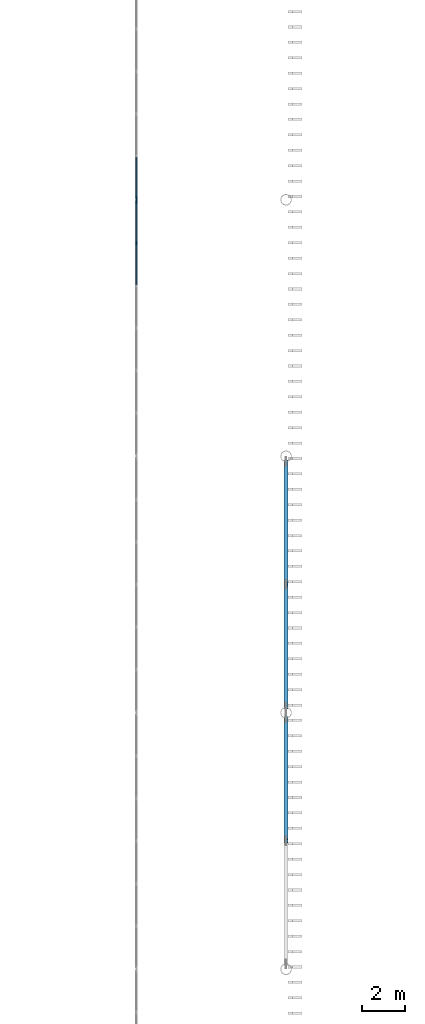
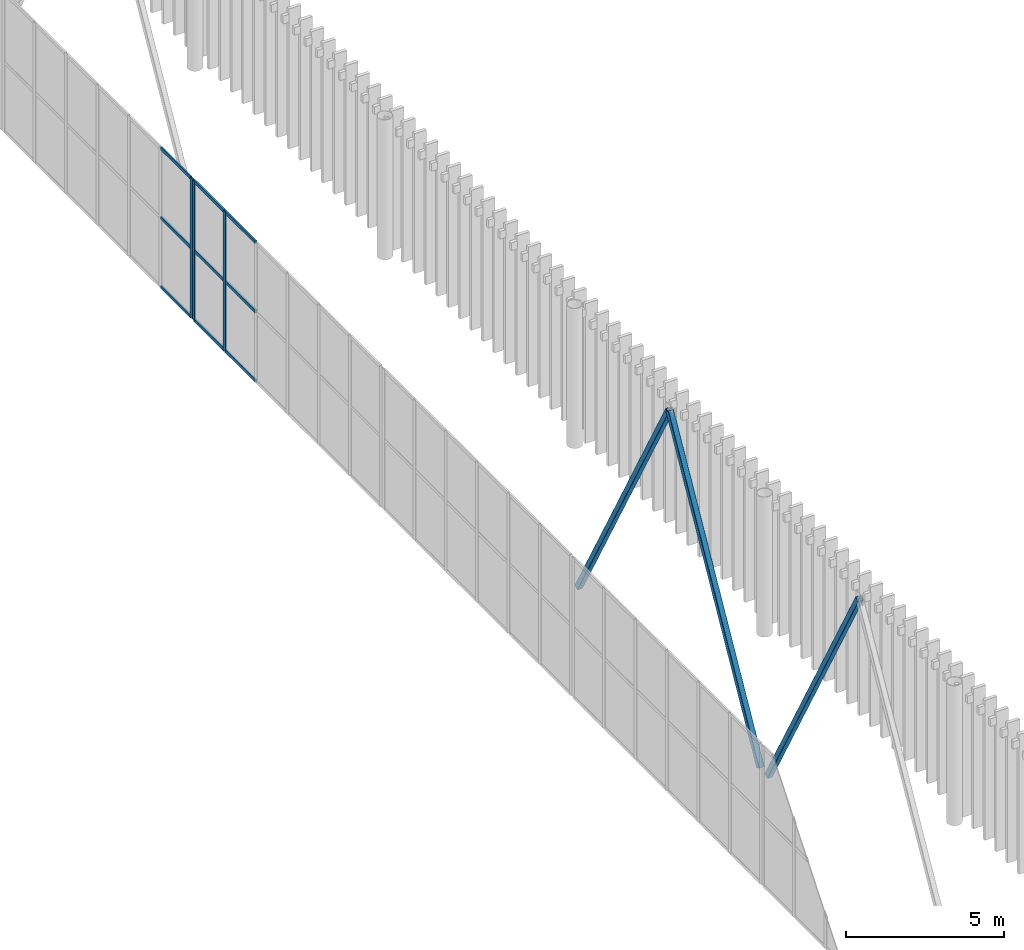
# One storey, part 48 of 170: 15 members, 2 elements without a shape of their own.
"""IFC4 building model written with IfcOpenShell, lengths in metres."""

import ifcopenshell
import ifcopenshell.guid

model = None  # the IFC model being written
_history = None  # IfcOwnerHistory: only IFC2X3 demands one
_inside = {}  # id of a spatial element -> (the spatial element, [elements in it])
_under = {}  # id of a project, library or spatial element -> (it, [spatial elements below it])
_declared = {}  # id of a project -> (the project, [libraries it declares])
_typed = {}  # id of a type object -> (the type object, [elements of that type])
_made_of = {}  # id of a material, layer set ... -> (it, [elements and type objects made of it])


def new_model(schema):
    """Start an empty IFC model of exactly this schema.

    Asked for "IFC4X3", IfcOpenShell would pick the latest addendum, in which some entities
    have other attributes; the version numbers below select the first issue.
    IFC2X3 requires an IfcOwnerHistory on every rooted entity: one is made here for all.
    """
    global model, _history
    if schema == "IFC4X3":
        model = ifcopenshell.file(schema_version=(4, 3, 0, 0))
    else:
        model = ifcopenshell.file(schema=schema)
    _inside.clear()
    _under.clear()
    _declared.clear()
    _typed.clear()
    _made_of.clear()
    _history = None
    if model.schema == "IFC2X3":
        org = make("IfcOrganization", Name="unknown")
        user = make(
            "IfcPersonAndOrganization",
            ThePerson=make("IfcPerson", FamilyName="unknown"),
            TheOrganization=org,
        )
        app = make(
            "IfcApplication",
            ApplicationDeveloper=org,
            Version="unknown",
            ApplicationFullName="unknown",
            ApplicationIdentifier="unknown",
        )
        _history = make(
            "IfcOwnerHistory",
            OwningUser=user,
            OwningApplication=app,
            ChangeAction="ADDED",
            CreationDate=0,
        )
    return model


def make(cls, **values):
    """One entity of the class cls with the attributes given. An attribute that is None is left unset."""
    return model.create_entity(
        cls, **{name: value for name, value in values.items() if value is not None}
    )


def rooted(cls, **values):
    """An entity with a GlobalId (a new one), such as an element, a storey or a relation."""
    return make(cls, GlobalId=ifcopenshell.guid.new(), OwnerHistory=_history, **values)


def si_unit(unit_type, name, prefix=None):
    """IfcSIUnit, for example si_unit("LENGTHUNIT", "METRE", prefix="MILLI")."""
    return make("IfcSIUnit", UnitType=unit_type, Prefix=prefix, Name=name)


def assignment(units):
    """IfcUnitAssignment: the units of a project."""
    return None if units is None else make("IfcUnitAssignment", Units=units)


def point(xyz):
    """IfcCartesianPoint."""
    return None if xyz is None else make("IfcCartesianPoint", Coordinates=xyz)


def direction(xyz):
    """IfcDirection."""
    return None if xyz is None else make("IfcDirection", DirectionRatios=xyz)


def frame(location, z_axis=None, x_axis=None):
    """IfcAxis2Placement3D, a coordinate frame: its origin and axes. An axis left out is left unset."""
    return make(
        "IfcAxis2Placement3D",
        Location=point(location),
        Axis=direction(z_axis),
        RefDirection=direction(x_axis),
    )


def frame_2d(location, x_axis=None):
    """IfcAxis2Placement2D, a coordinate frame in the plane: its origin and x axis."""
    return make(
        "IfcAxis2Placement2D", Location=point(location), RefDirection=direction(x_axis)
    )


def origin():
    """The frame at (0, 0, 0) with its axes left unset."""
    return frame((0.0, 0.0, 0.0))


def origin_2d():
    """The frame at (0, 0) in the plane with its x axis left unset."""
    return frame_2d((0.0, 0.0))


def place(relative_to, where):
    """IfcLocalPlacement: puts the frame where relative to a parent placement (None: the world)."""
    return make(
        "IfcLocalPlacement", PlacementRelTo=relative_to, RelativePlacement=where
    )


def context(
    kind, dimensions, precision=None, world=None, true_north=None, identifier=None
):
    """IfcGeometricRepresentationContext, for example the 3D "Model" context."""
    return make(
        "IfcGeometricRepresentationContext",
        ContextIdentifier=identifier,
        ContextType=kind,
        CoordinateSpaceDimension=dimensions,
        Precision=precision,
        WorldCoordinateSystem=world,
        TrueNorth=true_north,
    )


def subcontext(parent, identifier, kind, view, scale=None):
    """IfcGeometricRepresentationSubContext, for example "Body" below "Model"."""
    return make(
        "IfcGeometricRepresentationSubContext",
        ContextIdentifier=identifier,
        ContextType=kind,
        ParentContext=parent,
        TargetScale=scale,
        TargetView=view,
    )


def project(units=None, contexts=None):
    """IfcProject with its units and contexts."""
    return rooted(
        "IfcProject",
        Name="project",
        RepresentationContexts=contexts,
        UnitsInContext=assignment(units),
    )


def spatial(cls, under=None, at=None, **own):
    """A site, building, storey or space (cls), placed at a placement, below another one or the project."""
    s = rooted(cls, ObjectPlacement=at, **own)
    if under is not None:
        _under.setdefault(under.id(), (under, []))[1].append(s)
    return s


def profile(cls, at=None, kind="AREA", **sizes):
    """A parametric profile (cls). Its sizes go by their IFC names, for example OverallWidth=200.0."""
    return make(cls, ProfileType=kind, Position=at, **sizes)


def rectangle(**sizes):
    """IfcRectangleProfileDef."""
    return profile("IfcRectangleProfileDef", **sizes)


def hollow_rectangle(**sizes):
    """IfcRectangleHollowProfileDef."""
    return profile("IfcRectangleHollowProfileDef", **sizes)


def extrude(swept, where, along, depth):
    """IfcExtrudedAreaSolid: the profile swept, set in the frame where, extruded along a direction by depth."""
    return make(
        "IfcExtrudedAreaSolid",
        SweptArea=swept,
        Position=where,
        ExtrudedDirection=direction(along),
        Depth=depth,
    )


def shape(context_of_items, identifier, shape_type, items):
    """IfcShapeRepresentation: the items that make up one representation, for example the "Body"."""
    return make(
        "IfcShapeRepresentation",
        ContextOfItems=context_of_items,
        RepresentationIdentifier=identifier,
        RepresentationType=shape_type,
        Items=items,
    )


def material(Name=None, Category=None):
    """IfcMaterial."""
    return make("IfcMaterial", Name=Name, Category=Category)


def layer(
    of_material, thickness, ventilated=None, Name=None, Category=None, Priority=None
):
    """IfcMaterialLayer: one layer of a wall or slab, of a material (None: an air gap)."""
    return make(
        "IfcMaterialLayer",
        Material=of_material,
        LayerThickness=thickness,
        IsVentilated=ventilated,
        Name=Name,
        Category=Category,
        Priority=Priority,
    )


def layer_set(layers, Name=None):
    """IfcMaterialLayerSet."""
    return make("IfcMaterialLayerSet", MaterialLayers=layers, LayerSetName=Name)


def material_profile(
    of_material, cross_section, Name=None, Category=None, Priority=None
):
    """IfcMaterialProfile: a cross section and its material."""
    return make(
        "IfcMaterialProfile",
        Name=Name,
        Material=of_material,
        Profile=cross_section,
        Priority=Priority,
        Category=Category,
    )


def profile_set(profiles, Name=None, composite=None):
    """IfcMaterialProfileSet."""
    return make(
        "IfcMaterialProfileSet",
        Name=Name,
        MaterialProfiles=profiles,
        CompositeProfile=composite,
    )


def made_of(thing, what):
    """Note that an element or type object is made of a material, layer set ...; save() writes the relation."""
    if what is not None:
        _made_of.setdefault(what.id(), (what, []))[1].append(thing)
    return thing


def type_object(cls, material=None, **own):
    """A type object (cls), such as IfcWallType, which elements share."""
    return made_of(rooted(cls, **own), material)


def element(
    cls,
    number,
    at=None,
    inside=None,
    cuts=None,
    type_object=None,
    material=None,
    context=None,
    identifier="Body",
    shape_type=None,
    held_by="IfcProductDefinitionShape",
    body=None,
    shapes=None,
    **own,
):
    """One element of the class cls, such as IfcWall. Its Tag is "e" and its number.

    at: its placement. inside: the storey or other place that contains it. cuts: it is an
    opening in that element (IfcRelVoidsElement). A single representation is given by context,
    identifier, shape_type and body (its items); several are given by shapes. held_by: the class
    of the entity that holds the representations. save() writes the other relations.
    """
    e = rooted(cls, Tag="e%d" % number, ObjectPlacement=at, **own)
    if body is not None:
        shapes = [shape(context, identifier, shape_type, body)]
    if shapes is not None:
        e.Representation = make(held_by, Representations=shapes)
    if inside is not None:
        _inside.setdefault(inside.id(), (inside, []))[1].append(e)
    if cuts is not None:
        rooted(
            "IfcRelVoidsElement", RelatingBuildingElement=cuts, RelatedOpeningElement=e
        )
    if type_object is not None:
        _typed.setdefault(type_object.id(), (type_object, []))[1].append(e)
    return made_of(e, material)


def aggregate(whole, parts):
    """IfcRelAggregates: a whole, such as a stair, and the parts it consists of."""
    return rooted("IfcRelAggregates", RelatingObject=whole, RelatedObjects=parts)


def save(model, path):
    """Write the relations noted so far, then the file.

    IfcRelAggregates (storeys below a building ...), IfcRelContainedInSpatialStructure (elements
    in a storey), IfcRelDefinesByType, IfcRelAssociatesMaterial and IfcRelDeclares: one each for
    every whole, place, type object, material and project.
    """
    for whole, parts in _under.values():
        aggregate(whole, parts)
    for where, things in _inside.values():
        rooted(
            "IfcRelContainedInSpatialStructure",
            RelatedElements=things,
            RelatingStructure=where,
        )
    for kind, things in _typed.values():
        rooted("IfcRelDefinesByType", RelatedObjects=things, RelatingType=kind)
    for what, things in _made_of.values():
        rooted("IfcRelAssociatesMaterial", RelatedObjects=things, RelatingMaterial=what)
    for by, libraries in _declared.values():
        rooted("IfcRelDeclares", RelatingContext=by, RelatedDefinitions=libraries)
    model.write(path)


model = new_model("IFC4")

# Units and contexts
model_context = context("Model", 3, precision=1e-05, world=origin(), true_north=direction((0.0, 1.0)))
body_context = subcontext(model_context, "Body", "Model", "MODEL_VIEW")
ifc_project = project(units=[si_unit("LENGTHUNIT", "METRE"), si_unit("AREAUNIT", "SQUARE_METRE"), si_unit("VOLUMEUNIT", "CUBIC_METRE"), si_unit("PLANEANGLEUNIT", "RADIAN"), si_unit("MASSUNIT", "GRAM", prefix="KILO")], contexts=[model_context])

# Site, building, storey
site_placement = place(None, origin())
site = spatial("IfcSite", under=ifc_project, at=site_placement, CompositionType="ELEMENT")
building_placement = place(site_placement, origin())
building = spatial("IfcBuilding", under=site, at=building_placement, Name="Ravi Spectrum Wholesale Market", CompositionType="ELEMENT")
storey_placement = place(building_placement, frame((0.0, 0.0, 5.39990234375)))
storey = spatial("IfcBuildingStorey", under=building, at=storey_placement, Name="L01", CompositionType="ELEMENT", Elevation=5.39990234375)

# Curtain wall, members
ifc_material_1 = material(Name="Aluminium 6063-T6", Category="aluminium")
ifc_layer = layer(ifc_material_1, 0.14990234375)
ifc_layer_set = layer_set([ifc_layer], Name="Aluminium 6063-T6")
curtain_wall_type = type_object("IfcCurtainWallType", Name="Curtain wall 150", PredefinedType="NOTDEFINED", material=ifc_layer_set)
curtain_wall_1_placement = place(storey_placement, origin())
curtain_wall_1 = element("IfcCurtainWall", 1, at=curtain_wall_1_placement, inside=storey, type_object=curtain_wall_type, Name="H1-CW-L01-023", PredefinedType="NOTDEFINED")
ifc_material_2 = material(Name="Aluminium 6063-T6", Category="aluminium")
ifc_material_profile_1 = material_profile(ifc_material_2, rectangle(XDim=0.06005859375, YDim=0.159912109375, at=origin_2d()))
ifc_profile_set_1 = profile_set([ifc_material_profile_1], Name="Aluminium 6063-T6")
member_type_1 = type_object("IfcMemberType", Name="Mullion 60 x 160", PredefinedType="MULLION", material=ifc_profile_set_1)
member_1_placement = place(storey_placement, frame((103.0, 135.973388671875, 0.0), z_axis=(0.0, 0.0, 1.0), x_axis=(-1.0, 0.0, 0.0)))
member_1 = element("IfcMember", 2, at=member_1_placement, type_object=member_type_1, Name="H1-CW-L01-023 mullion 6", PredefinedType="MULLION", context=body_context, shape_type="SweptSolid", body=[
    extrude(rectangle(XDim=0.06005859375, YDim=0.159912109375, at=origin_2d()), origin(), (0.0, 0.0, 1.0), 5.400146484375),
])
member_2_placement = place(storey_placement, frame((103.0, 137.929931640625, 0.0), z_axis=(0.0, 0.0, 1.0), x_axis=(-1.0, 0.0, 0.0)))
member_2 = element("IfcMember", 3, at=member_2_placement, type_object=member_type_1, Name="H1-CW-L01-023 mullion 7", PredefinedType="MULLION", context=body_context, shape_type="SweptSolid", body=[
    extrude(rectangle(XDim=0.06005859375, YDim=0.159912109375, at=origin_2d()), origin(), (0.0, 0.0, 1.0), 5.400146484375),
])

# Curtain wall, member
curtain_wall_2_placement = place(storey_placement, origin())
curtain_wall_2 = element("IfcCurtainWall", 4, at=curtain_wall_2_placement, inside=storey, type_object=curtain_wall_type, Name="H1-CW-L01-024", PredefinedType="NOTDEFINED")
member_3_placement = place(storey_placement, frame((103.0, 138.070068359375, 0.0), z_axis=(0.0, 0.0, 1.0), x_axis=(-1.0, 0.0, 0.0)))
member_3 = element("IfcMember", 5, at=member_3_placement, type_object=member_type_1, Name="H1-CW-L01-024 mullion 1", PredefinedType="MULLION", context=body_context, shape_type="SweptSolid", body=[
    extrude(rectangle(XDim=0.06005859375, YDim=0.159912109375, at=origin_2d()), origin(), (0.0, 0.0, 1.0), 5.400146484375),
])

# Members
ifc_material_3 = material(Name="Steel S355", Category="steel")
ifc_material_profile_2 = material_profile(ifc_material_3, hollow_rectangle(XDim=0.199951171875, YDim=0.199951171875, WallThickness=0.008056640625, InnerFilletRadius=0.008056640625, OuterFilletRadius=0.01611328125, at=origin_2d()))
ifc_profile_set_2 = profile_set([ifc_material_profile_2], Name="Steel S355")
member_type_2 = type_object("IfcMemberType", Name="SHS 200x200x8 brace", PredefinedType="BRACE", material=ifc_profile_set_2)
for number, where, z_axis, x_axis, name in (
    (6, (110.0, 113.74609375, -5.350830078125), (0.0, -0.487151805571, 0.873317306784), (1.0, 0.0, 0.0), "H1-MB-L01-018"),
    (7, (110.0, 114.25390625, -5.350830078125), (0.0, 0.487151805571, 0.873317306784), (-1.0, 0.0, 0.0), "H1-MB-L01-019"),
    (8, (110.0, 125.74609375, -5.350830078125), (0.0, -0.487151805571, 0.873317306784), (1.0, 0.0, 0.0), "H1-MB-L01-020"),
):
    element("IfcMember", number, at=place(storey_placement, frame(where, z_axis=z_axis, x_axis=x_axis)), inside=storey, type_object=member_type_2, Name=name, PredefinedType="BRACE", context=body_context, shape_type="SweptSolid", body=[
        extrude(hollow_rectangle(XDim=0.199951171875, YDim=0.199951171875, WallThickness=0.008056640625, InnerFilletRadius=0.008056640625, OuterFilletRadius=0.01611328125, at=origin_2d()), origin(), (0.0, 0.0, 1.0), 11.795166015625),
    ])

# Member
ifc_material_4 = material(Name="Aluminium 6063-T6", Category="aluminium")
ifc_material_profile_3 = material_profile(ifc_material_4, rectangle(XDim=0.06005859375, YDim=0.1201171875, at=origin_2d()))
ifc_profile_set_3 = profile_set([ifc_material_profile_3], Name="Aluminium 6063-T6")
member_type_3 = type_object("IfcMemberType", Name="Transom 60 x 120", PredefinedType="USERDEFINED", material=ifc_profile_set_3)
member_4_placement = place(storey_placement, frame((103.0, 134.0166015625, 0.030029296875), z_axis=(0.0, 1.0, 0.0), x_axis=(-1.0, 0.0, 0.0)))
member_4 = element("IfcMember", 9, at=member_4_placement, type_object=member_type_3, Name="H1-CW-L01-023 transom 5.1", ObjectType="TRANSOM", PredefinedType="USERDEFINED", context=body_context, shape_type="SweptSolid", body=[
    extrude(rectangle(XDim=0.06005859375, YDim=0.1201171875, at=origin_2d()), origin(), (0.0, 0.0, 1.0), 1.9267578125),
])

member_5_placement = place(storey_placement, frame((103.0, 134.0166015625, 2.7001953125), z_axis=(0.0, 1.0, 0.0), x_axis=(-1.0, 0.0, 0.0)))
member_5 = element("IfcMember", 10, at=member_5_placement, type_object=member_type_3, Name="H1-CW-L01-023 transom 5.2", ObjectType="TRANSOM", PredefinedType="USERDEFINED", context=body_context, shape_type="SweptSolid", body=[
    extrude(rectangle(XDim=0.06005859375, YDim=0.1201171875, at=origin_2d()), origin(), (0.0, 0.0, 1.0), 1.9267578125),
])

member_6_placement = place(storey_placement, frame((103.0, 134.0166015625, 5.3701171875), z_axis=(0.0, 1.0, 0.0), x_axis=(-1.0, 0.0, 0.0)))
member_6 = element("IfcMember", 11, at=member_6_placement, type_object=member_type_3, Name="H1-CW-L01-023 transom 5.3", ObjectType="TRANSOM", PredefinedType="USERDEFINED", context=body_context, shape_type="SweptSolid", body=[
    extrude(rectangle(XDim=0.06005859375, YDim=0.1201171875, at=origin_2d()), origin(), (0.0, 0.0, 1.0), 1.9267578125),
])

member_7_placement = place(storey_placement, frame((103.0, 136.00341796875, 0.030029296875), z_axis=(0.0, 1.0, 0.0), x_axis=(-1.0, 0.0, 0.0)))
member_7 = element("IfcMember", 12, at=member_7_placement, type_object=member_type_3, Name="H1-CW-L01-023 transom 6.1", ObjectType="TRANSOM", PredefinedType="USERDEFINED", context=body_context, shape_type="SweptSolid", body=[
    extrude(rectangle(XDim=0.06005859375, YDim=0.1201171875, at=origin_2d()), origin(), (0.0, 0.0, 1.0), 1.896484375),
])

member_8_placement = place(storey_placement, frame((103.0, 136.00341796875, 2.7001953125), z_axis=(0.0, 1.0, 0.0), x_axis=(-1.0, 0.0, 0.0)))
member_8 = element("IfcMember", 13, at=member_8_placement, type_object=member_type_3, Name="H1-CW-L01-023 transom 6.2", ObjectType="TRANSOM", PredefinedType="USERDEFINED", context=body_context, shape_type="SweptSolid", body=[
    extrude(rectangle(XDim=0.06005859375, YDim=0.1201171875, at=origin_2d()), origin(), (0.0, 0.0, 1.0), 1.896484375),
])

member_9_placement = place(storey_placement, frame((103.0, 136.00341796875, 5.3701171875), z_axis=(0.0, 1.0, 0.0), x_axis=(-1.0, 0.0, 0.0)))
member_9 = element("IfcMember", 14, at=member_9_placement, type_object=member_type_3, Name="H1-CW-L01-023 transom 6.3", ObjectType="TRANSOM", PredefinedType="USERDEFINED", context=body_context, shape_type="SweptSolid", body=[
    extrude(rectangle(XDim=0.06005859375, YDim=0.1201171875, at=origin_2d()), origin(), (0.0, 0.0, 1.0), 1.896484375),
])

aggregate(curtain_wall_1, [member_1, member_2, member_4, member_5, member_6, member_7, member_8, member_9])

member_10_placement = place(storey_placement, frame((103.0, 138.10009765625, 0.030029296875), z_axis=(0.0, 1.0, 0.0), x_axis=(-1.0, 0.0, 0.0)))
member_10 = element("IfcMember", 15, at=member_10_placement, type_object=member_type_3, Name="H1-CW-L01-024 transom 1.1", ObjectType="TRANSOM", PredefinedType="USERDEFINED", context=body_context, shape_type="SweptSolid", body=[
    extrude(rectangle(XDim=0.06005859375, YDim=0.1201171875, at=origin_2d()), origin(), (0.0, 0.0, 1.0), 1.896484375),
])

member_11_placement = place(storey_placement, frame((103.0, 138.10009765625, 2.7001953125), z_axis=(0.0, 1.0, 0.0), x_axis=(-1.0, 0.0, 0.0)))
member_11 = element("IfcMember", 16, at=member_11_placement, type_object=member_type_3, Name="H1-CW-L01-024 transom 1.2", ObjectType="TRANSOM", PredefinedType="USERDEFINED", context=body_context, shape_type="SweptSolid", body=[
    extrude(rectangle(XDim=0.06005859375, YDim=0.1201171875, at=origin_2d()), origin(), (0.0, 0.0, 1.0), 1.896484375),
])

member_12_placement = place(storey_placement, frame((103.0, 138.10009765625, 5.3701171875), z_axis=(0.0, 1.0, 0.0), x_axis=(-1.0, 0.0, 0.0)))
member_12 = element("IfcMember", 17, at=member_12_placement, type_object=member_type_3, Name="H1-CW-L01-024 transom 1.3", ObjectType="TRANSOM", PredefinedType="USERDEFINED", context=body_context, shape_type="SweptSolid", body=[
    extrude(rectangle(XDim=0.06005859375, YDim=0.1201171875, at=origin_2d()), origin(), (0.0, 0.0, 1.0), 1.896484375),
])

aggregate(curtain_wall_2, [member_3, member_10, member_11, member_12])

save(model, "model.ifc")
